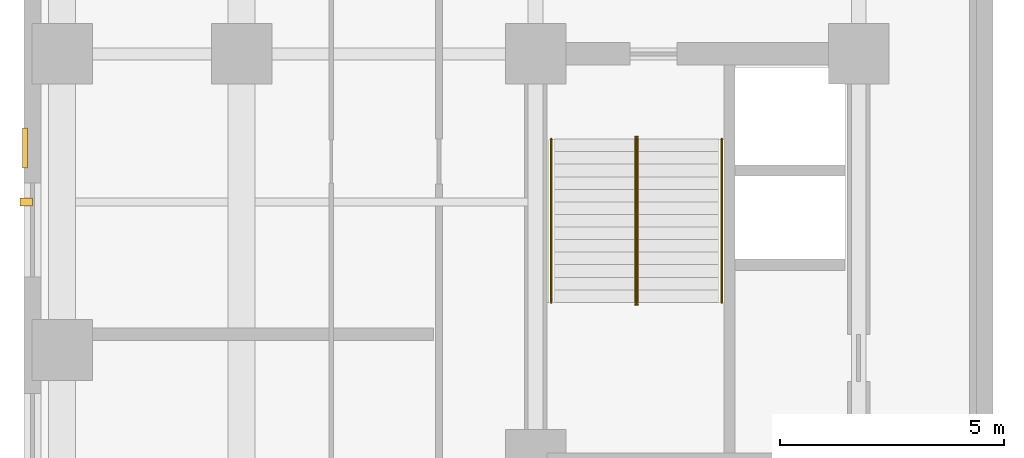
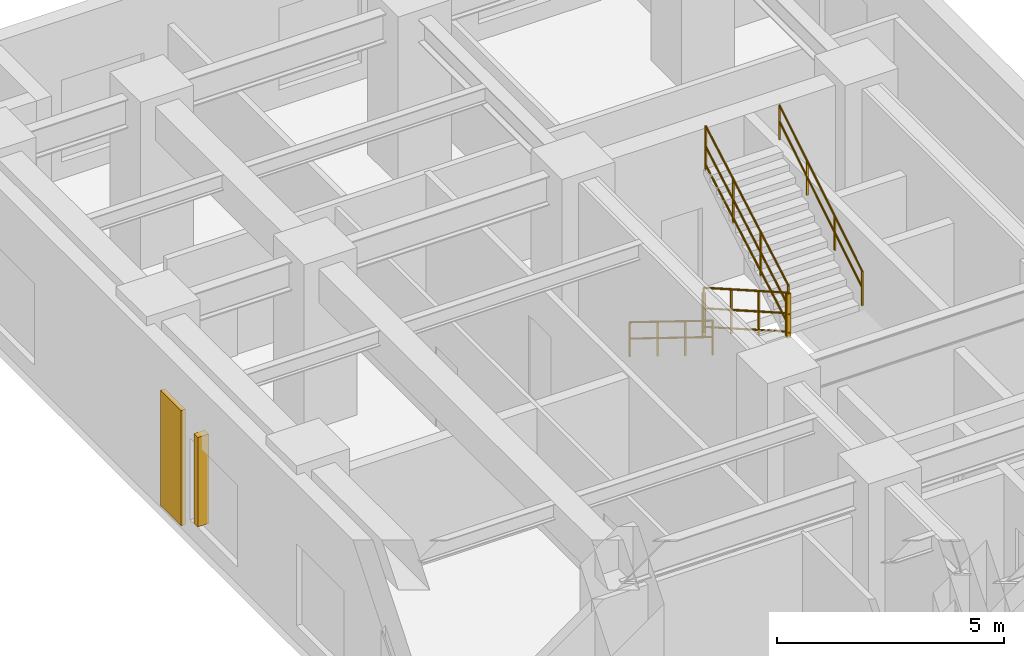
# One storey, part 9 of 9: 6 railings, 1 covering, 1 shading device.
"""IFC4 building model written with IfcOpenShell, lengths in metres."""

from ifc_helpers import new_model, entity, si_unit, converted_unit, direction, frame, origin_with_axes, origin_2d_with_axis, place, context, subcontext, project, spatial, rectangle, circle, extrude, material, layer, layer_set, type_object, element, save


model = new_model("IFC4")

# Units and contexts
model_context = context("Model", 3, precision=1e-05, world=origin_with_axes(), true_north=direction((0.0, 1.0)))
body_context = subcontext(model_context, "Body", "Model", "MODEL_VIEW")
ifc_project = project(units=[si_unit("LENGTHUNIT", "METRE"), si_unit("AREAUNIT", "SQUARE_METRE"), si_unit("VOLUMEUNIT", "CUBIC_METRE"), converted_unit("PLANEANGLEUNIT", "DEGREE", entity("IfcPlaneAngleMeasure", 0.017453292519943295), si_unit("PLANEANGLEUNIT", "RADIAN"), dimensions=[0, 0, 0, 0, 0, 0, 0]), si_unit("MASSUNIT", "GRAM", prefix="KILO"), si_unit("THERMODYNAMICTEMPERATUREUNIT", "KELVIN")], contexts=[model_context])

# Site, building, storey
site_placement = place(None, origin_with_axes())
site = spatial("IfcSite", under=ifc_project, at=site_placement, CompositionType="ELEMENT")
building_placement = place(site_placement, origin_with_axes())
building = spatial("IfcBuilding", under=site, at=building_placement, Name="Varnlund Millrace Tower", CompositionType="ELEMENT")
storey_placement = place(building_placement, frame((0.0, 0.0, 84.6), z_axis=(0.0, 0.0, 1.0), x_axis=(1.0, 0.0, 0.0)))
storey = spatial("IfcBuildingStorey", under=building, at=storey_placement, Name="L20", CompositionType="ELEMENT", Elevation=84.6)

# Covering
ifc_material_1 = material(Name="Precast concrete C50/60", Category="concrete")
ifc_layer = layer(ifc_material_1, 0.11, Name="Precast concrete C50/60")
ifc_layer_set = layer_set([ifc_layer], Name="Precast concrete C50/60")
covering_type = type_object("IfcCoveringType", Name="Type-Cladding-KasotaPier-110", PredefinedType="CLADDING", material=ifc_layer_set)
covering_placement = place(storey_placement, frame((0.02, 35.7, 0.1), z_axis=(0.0, 0.0, 1.0), x_axis=(1.0, 0.0, 0.0)))
element("IfcCovering", 1, at=covering_placement, inside=storey, type_object=covering_type, Name="Type-Cladding-KasotaPier-110", PredefinedType="CLADDING", context=body_context, shape_type="SweptSolid", body=[
    extrude(rectangle(XDim=0.11, YDim=0.9, at=origin_2d_with_axis()), origin_with_axes(), (0.0, 0.0, 1.0), 3.1),
])

# Shading device
ifc_material_2 = material(Name="Architectural bronze fluted spandrel fin", Category="aluminium")
shading_device_type = type_object("IfcShadingDeviceType", Name="Type-Shade-ArtDecoFin", PredefinedType="USERDEFINED", material=ifc_material_2)
shading_device_placement = place(storey_placement, frame((0.05, 34.5, 0.6), z_axis=(0.0, 0.0, 1.0), x_axis=(1.0, 0.0, 0.0)))
element("IfcShadingDevice", 2, at=shading_device_placement, inside=storey, type_object=shading_device_type, Name="Type-Shade-ArtDecoFin", ObjectType="FIN", PredefinedType="USERDEFINED", context=body_context, shape_type="SweptSolid", body=[
    extrude(rectangle(XDim=0.28, YDim=0.18, at=origin_2d_with_axis()), origin_with_axes(), (0.0, 0.0, 1.0), 2.4),
])

# Railings
ifc_material_3 = material(Name="Painted steel stair well balustrade guard", Category="steel")
railing_type_1 = type_object("IfcRailingType", Name="Type-StairGuard-1150", PredefinedType="GUARDRAIL", material=ifc_material_3)
railing_1_placement = place(storey_placement, frame((0.0, 0.0, -84.6), z_axis=(0.0, 0.0, 1.0), x_axis=(1.0, 0.0, 0.0)))
element("IfcRailing", 3, at=railing_1_placement, inside=storey, type_object=railing_type_1, Name="Type-StairGuard-1150", PredefinedType="GUARDRAIL", context=body_context, shape_type="SweptSolid", body=[
    extrude(circle(Radius=0.024, at=origin_2d_with_axis()), frame((13.625, 35.9, 85.923077), z_axis=(0.0, -0.868559, 0.495585), x_axis=(1.0, 0.0, 0.0)), (0.0, 0.0, 1.0), 4.190848),
    extrude(circle(Radius=0.024, at=origin_2d_with_axis()), frame((13.625, 35.9, 84.873077), z_axis=(0.0, -0.868559, 0.495585), x_axis=(1.0, 0.0, 0.0)), (0.0, 0.0, 1.0), 4.190848),
    extrude(circle(Radius=0.024, at=origin_2d_with_axis()), frame((13.625, 35.9, 85.371077), z_axis=(0.0, -0.868559, 0.495585), x_axis=(1.0, 0.0, 0.0)), (0.0, 0.0, 1.0), 4.190848),
    extrude(rectangle(XDim=0.04, YDim=0.04, at=origin_2d_with_axis()), frame((13.625, 35.9, 84.733077), z_axis=(0.0, 0.0, 1.0), x_axis=(1.0, 0.0, 0.0)), (0.0, 0.0, 1.0), 1.19),
    extrude(rectangle(XDim=0.04, YDim=0.04, at=origin_2d_with_axis()), frame((13.625, 34.686667, 85.425385), z_axis=(0.0, 0.0, 1.0), x_axis=(1.0, 0.0, 0.0)), (0.0, 0.0, 1.0), 1.19),
    extrude(rectangle(XDim=0.04, YDim=0.04, at=origin_2d_with_axis()), frame((13.625, 33.473333, 86.117692), z_axis=(0.0, 0.0, 1.0), x_axis=(1.0, 0.0, 0.0)), (0.0, 0.0, 1.0), 1.19),
    extrude(rectangle(XDim=0.04, YDim=0.04, at=origin_2d_with_axis()), frame((13.625, 32.26, 86.81), z_axis=(0.0, 0.0, 1.0), x_axis=(1.0, 0.0, 0.0)), (0.0, 0.0, 1.0), 1.19),
])
railing_2_placement = place(storey_placement, frame((0.0, 0.0, -84.6), z_axis=(0.0, 0.0, 1.0), x_axis=(1.0, 0.0, 0.0)))
element("IfcRailing", 4, at=railing_2_placement, inside=storey, type_object=railing_type_1, Name="Type-StairGuard-1150", PredefinedType="GUARDRAIL", context=body_context, shape_type="SweptSolid", body=[
    extrude(circle(Radius=0.024, at=origin_2d_with_axis()), frame((13.675, 32.21, 88.0), z_axis=(-1.0, 0.0, 0.0), x_axis=(0.0, -1.0, 0.0)), (0.0, 0.0, 1.0), 0.05),
    extrude(circle(Radius=0.024, at=origin_2d_with_axis()), frame((13.675, 32.21, 86.95), z_axis=(-1.0, 0.0, 0.0), x_axis=(0.0, -1.0, 0.0)), (0.0, 0.0, 1.0), 0.05),
    extrude(circle(Radius=0.024, at=origin_2d_with_axis()), frame((13.675, 32.21, 87.448), z_axis=(-1.0, 0.0, 0.0), x_axis=(0.0, -1.0, 0.0)), (0.0, 0.0, 1.0), 0.05),
    extrude(rectangle(XDim=0.04, YDim=0.04, at=origin_2d_with_axis()), frame((13.675, 32.21, 86.81), z_axis=(0.0, 0.0, 1.0), x_axis=(1.0, 0.0, 0.0)), (0.0, 0.0, 1.0), 1.19),
    extrude(rectangle(XDim=0.04, YDim=0.04, at=origin_2d_with_axis()), frame((13.625, 32.21, 86.81), z_axis=(0.0, 0.0, 1.0), x_axis=(1.0, 0.0, 0.0)), (0.0, 0.0, 1.0), 1.19),
])
railing_3_placement = place(storey_placement, frame((0.0, 0.0, -84.6), z_axis=(0.0, 0.0, 1.0), x_axis=(1.0, 0.0, 0.0)))
element("IfcRailing", 5, at=railing_3_placement, inside=storey, type_object=railing_type_1, Name="Type-StairGuard-1150", PredefinedType="GUARDRAIL", context=body_context, shape_type="SweptSolid", body=[
    extrude(circle(Radius=0.024, at=origin_2d_with_axis()), frame((13.675, 32.26, 88.173077), z_axis=(0.0, 0.868559, 0.495585), x_axis=(-1.0, 0.0, 0.0)), (0.0, 0.0, 1.0), 4.190848),
    extrude(circle(Radius=0.024, at=origin_2d_with_axis()), frame((13.675, 32.26, 87.123077), z_axis=(0.0, 0.868559, 0.495585), x_axis=(-1.0, 0.0, 0.0)), (0.0, 0.0, 1.0), 4.190848),
    extrude(circle(Radius=0.024, at=origin_2d_with_axis()), frame((13.675, 32.26, 87.621077), z_axis=(0.0, 0.868559, 0.495585), x_axis=(-1.0, 0.0, 0.0)), (0.0, 0.0, 1.0), 4.190848),
    extrude(rectangle(XDim=0.04, YDim=0.04, at=origin_2d_with_axis()), frame((13.675, 32.26, 86.983077), z_axis=(0.0, 0.0, 1.0), x_axis=(1.0, 0.0, 0.0)), (0.0, 0.0, 1.0), 1.19),
    extrude(rectangle(XDim=0.04, YDim=0.04, at=origin_2d_with_axis()), frame((13.675, 33.473333, 87.675385), z_axis=(0.0, 0.0, 1.0), x_axis=(1.0, 0.0, 0.0)), (0.0, 0.0, 1.0), 1.19),
    extrude(rectangle(XDim=0.04, YDim=0.04, at=origin_2d_with_axis()), frame((13.675, 34.686667, 88.367692), z_axis=(0.0, 0.0, 1.0), x_axis=(1.0, 0.0, 0.0)), (0.0, 0.0, 1.0), 1.19),
    extrude(rectangle(XDim=0.04, YDim=0.04, at=origin_2d_with_axis()), frame((13.675, 35.9, 89.06), z_axis=(0.0, 0.0, 1.0), x_axis=(1.0, 0.0, 0.0)), (0.0, 0.0, 1.0), 1.19),
])
railing_4_placement = place(storey_placement, frame((0.0, 0.0, -84.6), z_axis=(0.0, 0.0, 1.0), x_axis=(1.0, 0.0, 0.0)))
element("IfcRailing", 6, at=railing_4_placement, inside=storey, type_object=railing_type_1, Name="Type-StairGuard-1150", PredefinedType="GUARDRAIL", context=body_context, shape_type="SweptSolid", body=[
    extrude(circle(Radius=0.024, at=origin_2d_with_axis()), frame((13.675, 35.95, 85.75), z_axis=(-1.0, 0.0, 0.0), x_axis=(0.0, -1.0, 0.0)), (0.0, 0.0, 1.0), 0.05),
    extrude(circle(Radius=0.024, at=origin_2d_with_axis()), frame((13.675, 35.95, 84.7), z_axis=(-1.0, 0.0, 0.0), x_axis=(0.0, -1.0, 0.0)), (0.0, 0.0, 1.0), 0.05),
    extrude(circle(Radius=0.024, at=origin_2d_with_axis()), frame((13.675, 35.95, 85.198), z_axis=(-1.0, 0.0, 0.0), x_axis=(0.0, -1.0, 0.0)), (0.0, 0.0, 1.0), 0.05),
    extrude(rectangle(XDim=0.04, YDim=0.04, at=origin_2d_with_axis()), frame((13.675, 35.95, 84.56), z_axis=(0.0, 0.0, 1.0), x_axis=(1.0, 0.0, 0.0)), (0.0, 0.0, 1.0), 1.19),
    extrude(rectangle(XDim=0.04, YDim=0.04, at=origin_2d_with_axis()), frame((13.625, 35.95, 84.56), z_axis=(0.0, 0.0, 1.0), x_axis=(1.0, 0.0, 0.0)), (0.0, 0.0, 1.0), 1.19),
])
ifc_material_4 = material(Name="Brushed architectural bronze stair handrail", Category="aluminium")
railing_type_2 = type_object("IfcRailingType", Name="Type-StairHandrail-900", PredefinedType="HANDRAIL", material=ifc_material_4)
railing_5_placement = place(storey_placement, frame((0.0, 0.0, -84.6), z_axis=(0.0, 0.0, 1.0), x_axis=(1.0, 0.0, 0.0)))
element("IfcRailing", 7, at=railing_5_placement, inside=storey, type_object=railing_type_2, Name="Type-StairHandrail-900", PredefinedType="HANDRAIL", context=body_context, shape_type="SweptSolid", body=[
    extrude(circle(Radius=0.024, at=origin_2d_with_axis()), frame((11.75, 35.9, 85.652662), z_axis=(0.0, -0.850614, 0.525791), x_axis=(1.0, 0.0, 0.0)), (0.0, 0.0, 1.0), 4.279264),
    extrude(circle(Radius=0.024, at=origin_2d_with_axis()), frame((11.75, 35.9, 85.21287), z_axis=(0.0, -0.850614, 0.525791), x_axis=(1.0, 0.0, 0.0)), (0.0, 0.0, 1.0), 4.279264),
    extrude(rectangle(XDim=0.04, YDim=0.04, at=origin_2d_with_axis()), frame((11.75, 35.9, 84.733077), z_axis=(0.0, 0.0, 1.0), x_axis=(1.0, 0.0, 0.0)), (0.0, 0.0, 1.0), 0.919585),
    extrude(rectangle(XDim=0.04, YDim=0.04, at=origin_2d_with_axis()), frame((11.75, 34.686667, 85.483077), z_axis=(0.0, 0.0, 1.0), x_axis=(1.0, 0.0, 0.0)), (0.0, 0.0, 1.0), 0.919585),
    extrude(rectangle(XDim=0.04, YDim=0.04, at=origin_2d_with_axis()), frame((11.75, 33.473333, 86.233077), z_axis=(0.0, 0.0, 1.0), x_axis=(1.0, 0.0, 0.0)), (0.0, 0.0, 1.0), 0.919585),
    extrude(rectangle(XDim=0.04, YDim=0.04, at=origin_2d_with_axis()), frame((11.75, 32.26, 86.983077), z_axis=(0.0, 0.0, 1.0), x_axis=(1.0, 0.0, 0.0)), (0.0, 0.0, 1.0), 0.919585),
])
railing_6_placement = place(storey_placement, frame((0.0, 0.0, -84.6), z_axis=(0.0, 0.0, 1.0), x_axis=(1.0, 0.0, 0.0)))
element("IfcRailing", 8, at=railing_6_placement, inside=storey, type_object=railing_type_2, Name="Type-StairHandrail-900", PredefinedType="HANDRAIL", context=body_context, shape_type="SweptSolid", body=[
    extrude(circle(Radius=0.024, at=origin_2d_with_axis()), frame((15.55, 32.26, 87.902662), z_axis=(0.0, 0.850614, 0.525791), x_axis=(-1.0, 0.0, 0.0)), (0.0, 0.0, 1.0), 4.279264),
    extrude(circle(Radius=0.024, at=origin_2d_with_axis()), frame((15.55, 32.26, 87.46287), z_axis=(0.0, 0.850614, 0.525791), x_axis=(-1.0, 0.0, 0.0)), (0.0, 0.0, 1.0), 4.279264),
    extrude(rectangle(XDim=0.04, YDim=0.04, at=origin_2d_with_axis()), frame((15.55, 32.26, 86.983077), z_axis=(0.0, 0.0, 1.0), x_axis=(1.0, 0.0, 0.0)), (0.0, 0.0, 1.0), 0.919585),
    extrude(rectangle(XDim=0.04, YDim=0.04, at=origin_2d_with_axis()), frame((15.55, 33.473333, 87.733077), z_axis=(0.0, 0.0, 1.0), x_axis=(1.0, 0.0, 0.0)), (0.0, 0.0, 1.0), 0.919585),
    extrude(rectangle(XDim=0.04, YDim=0.04, at=origin_2d_with_axis()), frame((15.55, 34.686667, 88.483077), z_axis=(0.0, 0.0, 1.0), x_axis=(1.0, 0.0, 0.0)), (0.0, 0.0, 1.0), 0.919585),
    extrude(rectangle(XDim=0.04, YDim=0.04, at=origin_2d_with_axis()), frame((15.55, 35.9, 89.233077), z_axis=(0.0, 0.0, 1.0), x_axis=(1.0, 0.0, 0.0)), (0.0, 0.0, 1.0), 0.919585),
])

save(model, "model.ifc")
